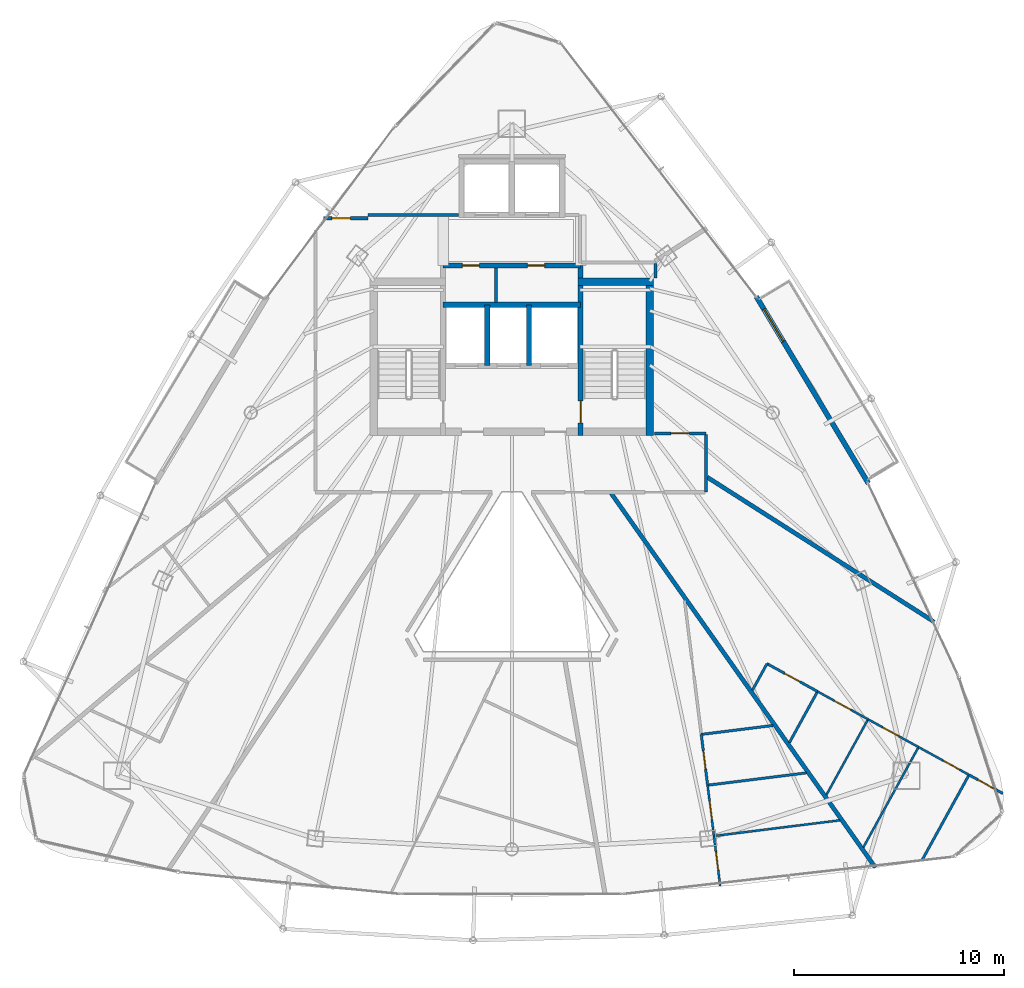
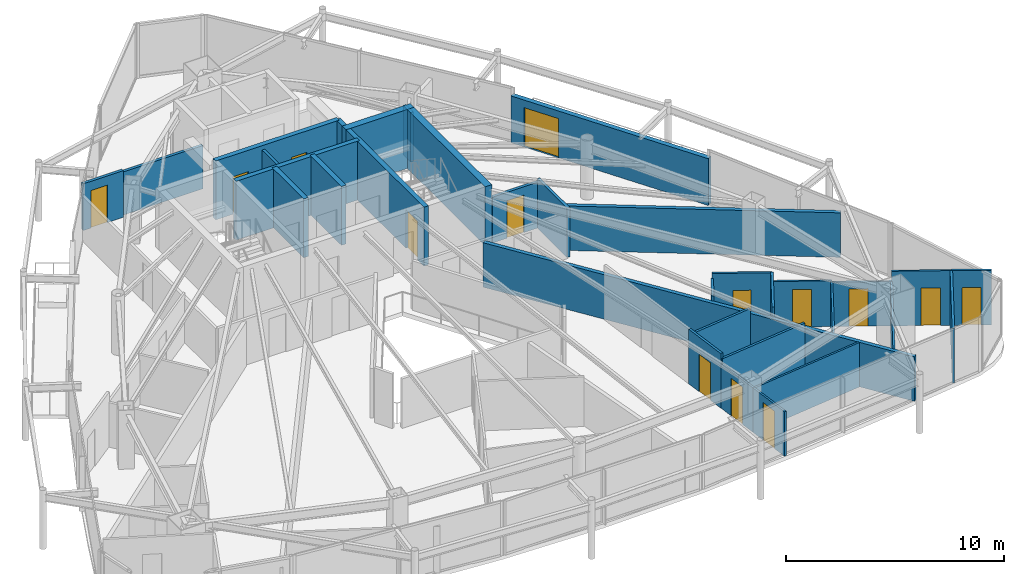
# One storey, part 29 of 33: 32 walls, 14 doors, 14 openings.
"""IFC4 building model written with IfcOpenShell, lengths in metres."""

from ifc_helpers import new_model, si_unit, direction, frame, frame_2d, origin, place, context, subcontext, project, spatial, rectangle, extrude, material, layer, layer_set, type_object, element, fill, save


model = new_model("IFC4")

# Units and contexts
model_context = context("Model", 3, precision=1e-05, world=origin(), true_north=direction((0.0, 1.0)))
body_context = subcontext(model_context, "Body", "Model", "MODEL_VIEW")
ifc_project = project(units=[si_unit("LENGTHUNIT", "METRE"), si_unit("AREAUNIT", "SQUARE_METRE"), si_unit("VOLUMEUNIT", "CUBIC_METRE"), si_unit("PLANEANGLEUNIT", "RADIAN"), si_unit("MASSUNIT", "GRAM", prefix="KILO")], contexts=[model_context])

# Site, building, storey
site_placement = place(None, origin())
site = spatial("IfcSite", under=ifc_project, at=site_placement, CompositionType="ELEMENT")
building_placement = place(site_placement, origin())
building = spatial("IfcBuilding", under=site, at=building_placement, Name="Orvanel Arch Residences", CompositionType="ELEMENT")
storey_placement = place(building_placement, frame((0.0, 0.0, 206.300048828125)))
storey = spatial("IfcBuildingStorey", under=building, at=storey_placement, Name="L58", CompositionType="ELEMENT", Elevation=206.300048828125)

# Wall, opening, door
ifc_material_1 = material(Name="Precast concrete N50 (50 MPa)", Category="concrete")
ifc_layer_1 = layer(ifc_material_1, 0.239990234375)
ifc_layer_set_1 = layer_set([ifc_layer_1], Name="Precast concrete N50 (50 MPa)")
wall_type_1 = type_object("IfcWallType", Name="EW-BAL-240", PredefinedType="SOLIDWALL", material=ifc_layer_set_1)
wall_1_placement = place(storey_placement, frame((49.98193359375, 24.27490234375, 0.0), z_axis=(0.0, 0.0, 1.0), x_axis=(-0.514391899557, 0.857555230682, 0.0)))
wall_1 = element("IfcWall", 1, at=wall_1_placement, inside=storey, type_object=wall_type_1, Name="L58 Balcony Threshold Wall Face 3", PredefinedType="SOLIDWALL", context=body_context, shape_type="SweptSolid", body=[
    extrude(rectangle(XDim=10.371337890625, YDim=0.239990234375, at=frame_2d((5.185546875, 0.0))), origin(), (0.0, 0.0, 1.0), 2.6240234375),
])
opening_1_placement = place(wall_1_placement, frame((7.8740234375, 0.0, 0.0)))
opening_1 = element("IfcOpeningElement", 2, at=opening_1_placement, cuts=wall_1, Name="Opening DB-180", PredefinedType="OPENING", context=body_context, shape_type="SweptSolid", body=[
    extrude(rectangle(XDim=1.800048828125, YDim=2.199951171875, at=frame_2d((0.89990234375, 1.10009765625))), frame((0.0, 0.1298828125, 0.0), z_axis=(0.0, -1.0, 0.0), x_axis=(1.0, 0.0, 0.0)), (0.0, 0.0, 1.0), 0.260009765625),
])
ifc_material_2 = material(Name="Bronze-anodised aluminium AA6063-T6", Category="aluminium")
door_type_1 = type_object("IfcDoorType", Name="DR-BAL-1800", OperationType="NOTDEFINED", PredefinedType="DOOR", material=ifc_material_2)
door_1_placement = place(opening_1_placement, origin())
door_1 = element("IfcDoor", 3, at=door_1_placement, inside=storey, type_object=door_type_1, Name="DR-L58-BAL-F3 L58 Planted Balcony Access Door Face 3", OperationType="SINGLE_SWING_LEFT", OverallHeight=2.199951171875, OverallWidth=1.800048828125, PredefinedType="DOOR", context=body_context, shape_type="SweptSolid", body=[
    extrude(rectangle(XDim=1.800048828125, YDim=2.199951171875, at=frame_2d((0.89990234375, 1.10009765625))), frame((0.0, 0.02490234375, 0.0), z_axis=(0.0, -1.0, 0.0), x_axis=(1.0, 0.0, 0.0)), (0.0, 0.0, 1.0), 0.050048828125),
])
fill(opening_1, door_1)

ifc_material_3 = material(Name="Concrete N50 (50 MPa)", Category="concrete")
ifc_layer_2 = layer(ifc_material_3, 0.25)
ifc_layer_set_2 = layer_set([ifc_layer_2], Name="Concrete N50 (50 MPa)")
wall_type_2 = type_object("IfcWallType", Name="SW-CORE-250", PredefinedType="SHEAR", material=ifc_layer_set_2)
wall_2_placement = place(storey_placement, frame((36.27490234375, 26.550048828125, 0.0), z_axis=(0.0, 0.0, 1.0), x_axis=(0.0, 1.0, 0.0)))
wall_2 = element("IfcWall", 4, at=wall_2_placement, inside=storey, type_object=wall_type_2, Name="L58 East Inner Core Spine Shear Wall", PredefinedType="SHEAR", context=body_context, shape_type="SweptSolid", body=[
    extrude(rectangle(XDim=8.099853515625, YDim=0.25, at=frame_2d((4.0498046875, 0.0))), origin(), (0.0, 0.0, 1.0), 3.300048828125),
])
opening_2_placement = place(wall_2_placement, frame((0.60009765625, 0.0, 0.0)))
opening_2 = element("IfcOpeningElement", 5, at=opening_2_placement, cuts=wall_2, Name="Opening DF-120", PredefinedType="OPENING", context=body_context, shape_type="SweptSolid", body=[
    extrude(rectangle(XDim=1.050048828125, YDim=2.14990234375, at=frame_2d((0.52490234375, 1.074951171875))), frame((0.0, 0.135009765625, 0.0), z_axis=(0.0, -1.0, 0.0), x_axis=(1.0, 0.0, 0.0)), (0.0, 0.0, 1.0), 0.27001953125),
])
ifc_material_4 = material(Name="Galvanised steel fire-resisting door assembly", Category="steel")
door_type_2 = type_object("IfcDoorType", Name="DR-FD120-1050", OperationType="NOTDEFINED", PredefinedType="DOOR", material=ifc_material_4)
door_2_placement = place(opening_2_placement, origin())
door_2 = element("IfcDoor", 6, at=door_2_placement, inside=storey, type_object=door_type_2, Name="DR-L58-ST2 L58 Stair 2 Fire Door", OperationType="SINGLE_SWING_RIGHT", OverallHeight=2.14990234375, OverallWidth=1.050048828125, PredefinedType="DOOR", context=body_context, shape_type="SweptSolid", body=[
    extrude(rectangle(XDim=1.050048828125, YDim=2.14990234375, at=frame_2d((0.52490234375, 1.074951171875))), frame((0.0, 0.02490234375, 0.0), z_axis=(0.0, -1.0, 0.0), x_axis=(1.0, 0.0, 0.0)), (0.0, 0.0, 1.0), 0.050048828125),
])
fill(opening_2, door_2)

# Walls
wall_3_placement = place(storey_placement, frame((29.72509765625, 32.77490234375, 0.0), z_axis=(0.0, 0.0, 1.0), x_axis=(1.0, 0.0, 0.0)))
element("IfcWall", 7, at=wall_3_placement, inside=storey, type_object=wall_type_2, Name="L58 Emergency Lift Back Core Shear Wall", PredefinedType="SHEAR", context=body_context, shape_type="SweptSolid", body=[
    extrude(rectangle(XDim=6.5498046875, YDim=0.25, at=frame_2d((3.27490234375, 0.0))), origin(), (0.0, 0.0, 1.0), 3.300048828125),
])
for number, where, z_axis, x_axis, name in (
    (8, (31.824951171875, 29.875, 0.0), (0.0, 0.0, 1.0), (0.0, 1.0, 0.0), "L58 Emergency Lift Inter-Shaft Wall F12"),
    (9, (33.824951171875, 29.875, 0.0), (0.0, 0.0, 1.0), (0.0, 1.0, 0.0), "L58 Emergency Lift Inter-Shaft Wall F2G"),
):
    element("IfcWall", number, at=place(storey_placement, frame(where, z_axis=z_axis, x_axis=x_axis)), inside=storey, type_object=wall_type_2, Name=name, PredefinedType="SHEAR", context=body_context, shape_type="SweptSolid", body=[
        extrude(rectangle(XDim=2.89990234375, YDim=0.25, at=frame_2d((1.449951171875, 0.0))), origin(), (0.0, 0.0, 1.0), 3.300048828125),
    ])

# Wall, openings, doors
wall_4_placement = place(storey_placement, frame((29.72509765625, 34.64990234375, 0.0), z_axis=(0.0, 0.0, 1.0), x_axis=(1.0, 0.0, 0.0)))
wall_4 = element("IfcWall", 10, at=wall_4_placement, inside=storey, type_object=wall_type_2, Name="L58 Core Service Band North Shear Wall", PredefinedType="SHEAR", context=body_context, shape_type="SweptSolid", body=[
    extrude(rectangle(XDim=6.5498046875, YDim=0.25, at=frame_2d((3.27490234375, 0.0))), origin(), (0.0, 0.0, 1.0), 3.300048828125),
])
opening_3_placement = place(wall_4_placement, frame((0.9150390625, 0.0, 0.0)))
opening_3 = element("IfcOpeningElement", 11, at=opening_3_placement, cuts=wall_4, Name="Opening DS-082", PredefinedType="OPENING", context=body_context, shape_type="SweptSolid", body=[
    extrude(rectangle(XDim=0.820068359375, YDim=2.10009765625, at=frame_2d((0.41015625, 1.050048828125))), frame((0.0, 0.135009765625, 0.0), z_axis=(0.0, -1.0, 0.0), x_axis=(1.0, 0.0, 0.0)), (0.0, 0.0, 1.0), 0.27001953125),
])
opening_4_placement = place(wall_4_placement, frame((4.014892578125, 0.0, 0.0)))
opening_4 = element("IfcOpeningElement", 12, at=opening_4_placement, cuts=wall_4, Name="Opening DW-082", PredefinedType="OPENING", context=body_context, shape_type="SweptSolid", body=[
    extrude(rectangle(XDim=0.820068359375, YDim=2.10009765625, at=frame_2d((0.41015625, 1.050048828125))), frame((0.0, 0.135009765625, 0.0), z_axis=(0.0, -1.0, 0.0), x_axis=(1.0, 0.0, 0.0)), (0.0, 0.0, 1.0), 0.27001953125),
])
door_type_3 = type_object("IfcDoorType", Name="DR-SVC-820", OperationType="NOTDEFINED", PredefinedType="DOOR", material=ifc_material_4)
door_3_placement = place(opening_3_placement, origin())
door_3 = element("IfcDoor", 13, at=door_3_placement, inside=storey, type_object=door_type_3, Name="DR-L58-CSVC-1 L58 Floor Cleaner's Store Door", OperationType="SINGLE_SWING_LEFT", OverallHeight=2.10009765625, OverallWidth=0.820068359375, PredefinedType="DOOR", context=body_context, shape_type="SweptSolid", body=[
    extrude(rectangle(XDim=0.820068359375, YDim=2.10009765625, at=frame_2d((0.41015625, 1.050048828125))), frame((0.0, 0.02490234375, 0.0), z_axis=(0.0, -1.0, 0.0), x_axis=(1.0, 0.0, 0.0)), (0.0, 0.0, 1.0), 0.050048828125),
])
fill(opening_3, door_3)
ifc_material_5 = material(Name="Solid-core European oak veneer fire door leaf", Category="wood")
door_type_4 = type_object("IfcDoorType", Name="DR-WET-820", OperationType="NOTDEFINED", PredefinedType="DOOR", material=ifc_material_5)
door_4_placement = place(opening_4_placement, origin())
door_4 = element("IfcDoor", 14, at=door_4_placement, inside=storey, type_object=door_type_4, Name="DR-L58-CSVC-2 L58 Core Accessible WC Door", OperationType="SINGLE_SWING_LEFT", OverallHeight=2.10009765625, OverallWidth=0.820068359375, PredefinedType="DOOR", context=body_context, shape_type="SweptSolid", body=[
    extrude(rectangle(XDim=0.820068359375, YDim=2.10009765625, at=frame_2d((0.41015625, 1.050048828125))), frame((0.0, 0.02490234375, 0.0), z_axis=(0.0, -1.0, 0.0), x_axis=(1.0, 0.0, 0.0)), (0.0, 0.0, 1.0), 0.050048828125),
])
fill(opening_4, door_4)

# Walls
ifc_layer_3 = layer(ifc_material_3, 0.35009765625)
ifc_layer_set_3 = layer_set([ifc_layer_3], Name="Concrete N50 (50 MPa)")
wall_type_3 = type_object("IfcWallType", Name="SW-CORE-350", PredefinedType="SHEAR", material=ifc_layer_set_3)
wall_5_placement = place(storey_placement, frame((39.574951171875, 26.550048828125, 0.0), z_axis=(0.0, 0.0, 1.0), x_axis=(0.0, 1.0, 0.0)))
element("IfcWall", 15, at=wall_5_placement, inside=storey, type_object=wall_type_3, Name="L58 East Stair Shear Wall", PredefinedType="SHEAR", context=body_context, shape_type="SweptSolid", body=[
    extrude(rectangle(XDim=7.5, YDim=0.35009765625, at=frame_2d((3.75, 0.0))), origin(), (0.0, 0.0, 1.0), 3.300048828125),
])
wall_6_placement = place(storey_placement, frame((36.14990234375, 33.875, 0.0), z_axis=(0.0, 0.0, 1.0), x_axis=(1.0, 0.0, 0.0)))
element("IfcWall", 16, at=wall_6_placement, inside=storey, type_object=wall_type_3, Name="L58 East Stair North Shear Wall", PredefinedType="SHEAR", context=body_context, shape_type="SweptSolid", body=[
    extrude(rectangle(XDim=3.60009765625, YDim=0.35009765625, at=frame_2d((1.800048828125, 0.0))), origin(), (0.0, 0.0, 1.0), 3.300048828125),
])

# Wall, opening, door
ifc_material_6 = material(Name="Fire-rated plasterboard lined steel stud partition", Category="steel")
ifc_layer_4 = layer(ifc_material_6, 0.14990234375)
ifc_layer_set_4 = layer_set([ifc_layer_4], Name="Fire-rated plasterboard lined steel stud partition")
wall_type_4 = type_object("IfcWallType", Name="W-COR-150", PredefinedType="PARTITIONING", material=ifc_layer_set_4)
wall_7_placement = place(storey_placement, frame((24.028076171875, 36.89990234375, 0.0), z_axis=(0.0, 0.0, 1.0), x_axis=(1.0, 0.0, 0.0)))
wall_7 = element("IfcWall", 17, at=wall_7_placement, inside=storey, type_object=wall_type_4, Name="L58 Corridor Fire-Rated Partition", PredefinedType="PARTITIONING", context=body_context, shape_type="SweptSolid", body=[
    extrude(rectangle(XDim=2.121826171875, YDim=0.14990234375, at=frame_2d((1.06103515625, 0.0))), origin(), (0.0, 0.0, 1.0), 2.618896484375),
])
opening_5_placement = place(wall_7_placement, frame((0.406005859375, 0.0, 0.0)))
opening_5 = element("IfcOpeningElement", 18, at=opening_5_placement, cuts=wall_7, Name="Opening DI-088", PredefinedType="OPENING", context=body_context, shape_type="SweptSolid", body=[
    extrude(rectangle(XDim=0.8798828125, YDim=2.10009765625, at=frame_2d((0.43994140625, 1.050048828125))), frame((0.0, 0.0849609375, 0.0), z_axis=(0.0, -1.0, 0.0), x_axis=(1.0, 0.0, 0.0)), (0.0, 0.0, 1.0), 0.169921875),
])
door_type_5 = type_object("IfcDoorType", Name="DR-INT-880", OperationType="NOTDEFINED", PredefinedType="DOOR", material=ifc_material_5)
door_5_placement = place(opening_5_placement, origin())
door_5 = element("IfcDoor", 19, at=door_5_placement, inside=storey, type_object=door_type_5, Name="DR-L58-SHRD-FB7 L58 Co-Working Study Office G Door", OperationType="SINGLE_SWING_LEFT", OverallHeight=2.10009765625, OverallWidth=0.8798828125, PredefinedType="DOOR", context=body_context, shape_type="SweptSolid", body=[
    extrude(rectangle(XDim=0.8798828125, YDim=2.10009765625, at=frame_2d((0.43994140625, 1.050048828125))), frame((0.0, 0.02490234375, 0.0), z_axis=(0.0, -1.0, 0.0), x_axis=(1.0, 0.0, 0.0)), (0.0, 0.0, 1.0), 0.050048828125),
])
fill(opening_5, door_5)

wall_8_placement = place(storey_placement, frame((39.7900390625, 26.64990234375, 0.0), z_axis=(0.0, 0.0, 1.0), x_axis=(1.0, 0.0, 0.0)))
wall_8 = element("IfcWall", 20, at=wall_8_placement, inside=storey, type_object=wall_type_4, Name="L58 Corridor Fire-Rated Partition", PredefinedType="PARTITIONING", context=body_context, shape_type="SweptSolid", body=[
    extrude(rectangle(XDim=2.4599609375, YDim=0.14990234375, at=frame_2d((1.22998046875, 0.0))), origin(), (0.0, 0.0, 1.0), 2.56494140625),
])
opening_6_placement = place(wall_8_placement, frame((0.7900390625, 0.0, 0.0)))
opening_6 = element("IfcOpeningElement", 21, at=opening_6_placement, cuts=wall_8, Name="Opening DI-088", PredefinedType="OPENING", context=body_context, shape_type="SweptSolid", body=[
    extrude(rectangle(XDim=0.8798828125, YDim=2.10009765625, at=frame_2d((0.43994140625, 1.050048828125))), frame((0.0, 0.0849609375, 0.0), z_axis=(0.0, -1.0, 0.0), x_axis=(1.0, 0.0, 0.0)), (0.0, 0.0, 1.0), 0.169921875),
])
door_6_placement = place(opening_6_placement, origin())
door_6 = element("IfcDoor", 22, at=door_6_placement, inside=storey, type_object=door_type_5, Name="DR-L58-SHRD-FB6 L58 Co-Working Study Office F Door", OperationType="SINGLE_SWING_LEFT", OverallHeight=2.10009765625, OverallWidth=0.8798828125, PredefinedType="DOOR", context=body_context, shape_type="SweptSolid", body=[
    extrude(rectangle(XDim=0.8798828125, YDim=2.10009765625, at=frame_2d((0.43994140625, 1.050048828125))), frame((0.0, 0.02490234375, 0.0), z_axis=(0.0, -1.0, 0.0), x_axis=(1.0, 0.0, 0.0)), (0.0, 0.0, 1.0), 0.050048828125),
])
fill(opening_6, door_6)

# Walls
wall_9_placement = place(storey_placement, frame((42.25, 26.590087890625, 0.0), z_axis=(0.0, 0.0, 1.0), x_axis=(0.0, -1.0, 0.0)))
element("IfcWall", 23, at=wall_9_placement, inside=storey, type_object=wall_type_4, Name="L58 Corridor Fire-Rated Partition", PredefinedType="PARTITIONING", context=body_context, shape_type="SweptSolid", body=[
    extrude(rectangle(XDim=2.739990234375, YDim=0.14990234375, at=frame_2d((1.3701171875, 0.0))), origin(), (0.0, 0.0, 1.0), 2.77294921875),
])
wall_10_placement = place(storey_placement, frame((26.14990234375, 37.050048828125, 0.0), z_axis=(0.0, 0.0, 1.0), x_axis=(1.0, 0.0, 0.0)))
element("IfcWall", 24, at=wall_10_placement, inside=storey, type_object=wall_type_4, Name="L58 Core Perimeter Partition", PredefinedType="PARTITIONING", context=body_context, shape_type="SweptSolid", body=[
    extrude(rectangle(XDim=4.300048828125, YDim=0.14990234375, at=frame_2d((2.14990234375, 0.0))), origin(), (0.0, 0.0, 1.0), 2.425048828125),
])
wall_11_placement = place(storey_placement, frame((39.85009765625, 34.739990234375, 0.0), z_axis=(0.0, 0.0, 1.0), x_axis=(0.0, -1.0, 0.0)))
element("IfcWall", 25, at=wall_11_placement, inside=storey, type_object=wall_type_4, Name="L58 Core Perimeter Partition", PredefinedType="PARTITIONING", context=body_context, shape_type="SweptSolid", body=[
    extrude(rectangle(XDim=0.68994140625, YDim=0.14990234375, at=frame_2d((0.344970703125, 0.0))), origin(), (0.0, 0.0, 1.0), 2.77294921875),
])
ifc_layer_5 = layer(ifc_material_6, 0.199951171875)
ifc_layer_set_5 = layer_set([ifc_layer_5], Name="Fire-rated plasterboard lined steel stud partition")
wall_type_5 = type_object("IfcWallType", Name="W-DEM-200", PredefinedType="PARTITIONING", material=ifc_layer_set_5)
wall_12_placement = place(storey_placement, frame((50.31591796875, 5.97607421875, 0.0), z_axis=(0.0, 0.0, 1.0), x_axis=(-0.576784728977, 0.816896184603, 0.0)))
element("IfcWall", 26, at=wall_12_placement, inside=storey, type_object=wall_type_5, Name="L58 Inter-Tenancy Acoustic Demising Wall", PredefinedType="PARTITIONING", context=body_context, shape_type="SweptSolid", body=[
    extrude(rectangle(XDim=21.806884765625, YDim=0.199951171875, at=frame_2d((10.9033203125, 0.0))), origin(), (0.0, 0.0, 1.0), 2.491943359375),
])
wall_13_placement = place(storey_placement, frame((42.31005859375, 24.56494140625, 0.0), z_axis=(0.0, 0.0, 1.0), x_axis=(0.843209388644, -0.537585274075, 0.0)))
element("IfcWall", 27, at=wall_13_placement, inside=storey, type_object=wall_type_5, Name="L58 Inter-Tenancy Acoustic Demising Wall", PredefinedType="PARTITIONING", context=body_context, shape_type="SweptSolid", body=[
    extrude(rectangle(XDim=12.81640625, YDim=0.199951171875, at=frame_2d((6.408203125, 0.0))), origin(), (0.0, 0.0, 1.0), 2.491943359375),
])

# Wall, opening, door
ifc_material_7 = material(Name="Acoustic plasterboard lined twin-stud partition", Category="gypsum")
ifc_layer_6 = layer(ifc_material_7, 0.10009765625)
ifc_layer_set_6 = layer_set([ifc_layer_6], Name="Acoustic plasterboard lined twin-stud partition")
wall_type_6 = type_object("IfcWallType", Name="W-INT-100", PredefinedType="PARTITIONING", material=ifc_layer_set_6)
wall_14_placement = place(storey_placement, frame((54.77587890625, 10.389892578125, 0.0), z_axis=(0.0, 0.0, 1.0), x_axis=(-0.876159561865, 0.48202118434, 0.0)))
wall_14 = element("IfcWall", 28, at=wall_14_placement, inside=storey, type_object=wall_type_6, Name="L58 Studio B Internal Partition", PredefinedType="PARTITIONING", context=body_context, shape_type="SweptSolid", body=[
    extrude(rectangle(XDim=2.74462890625, YDim=0.10009765625, at=frame_2d((1.372314453125, 0.0))), origin(), (0.0, 0.0, 1.0), 3.06005859375),
])
opening_7_placement = place(wall_14_placement, frame((0.508056640625, 0.0, 0.0)))
opening_7 = element("IfcOpeningElement", 29, at=opening_7_placement, cuts=wall_14, Name="Opening DI-088", PredefinedType="OPENING", context=body_context, shape_type="SweptSolid", body=[
    extrude(rectangle(XDim=0.8798828125, YDim=2.10009765625, at=frame_2d((0.43994140625, 1.050048828125))), frame((0.0, 0.06005859375, 0.0), z_axis=(0.0, -1.0, 0.0), x_axis=(1.0, 0.0, 0.0)), (0.0, 0.0, 1.0), 0.1201171875),
])
door_7_placement = place(opening_7_placement, origin())
door_7 = element("IfcDoor", 30, at=door_7_placement, inside=storey, type_object=door_type_5, Name="DR-L58-B-WRD1 L58 Studio B Walk-In Wardrobe 2 Door", OperationType="SINGLE_SWING_LEFT", OverallHeight=2.10009765625, OverallWidth=0.8798828125, PredefinedType="DOOR", context=body_context, shape_type="SweptSolid", body=[
    extrude(rectangle(XDim=0.8798828125, YDim=2.10009765625, at=frame_2d((0.43994140625, 1.050048828125))), frame((0.0, 0.02490234375, 0.0), z_axis=(0.0, -1.0, 0.0), x_axis=(1.0, 0.0, 0.0)), (0.0, 0.0, 1.0), 0.050048828125),
])
fill(opening_7, door_7)

wall_15_placement = place(storey_placement, frame((52.37109375, 11.712890625, 0.0), z_axis=(0.0, 0.0, 1.0), x_axis=(-0.87599239457, 0.482324916064, 0.0)))
wall_15 = element("IfcWall", 31, at=wall_15_placement, inside=storey, type_object=wall_type_6, Name="L58 Studio B Internal Partition", PredefinedType="PARTITIONING", context=body_context, shape_type="SweptSolid", body=[
    extrude(rectangle(XDim=2.74560546875, YDim=0.10009765625, at=frame_2d((1.372802734375, 0.0))), origin(), (0.0, 0.0, 1.0), 2.491943359375),
])
opening_8_placement = place(wall_15_placement, frame((1.073974609375, 0.0, 0.0)))
opening_8 = element("IfcOpeningElement", 32, at=opening_8_placement, cuts=wall_15, Name="Opening DI-088", PredefinedType="OPENING", context=body_context, shape_type="SweptSolid", body=[
    extrude(rectangle(XDim=0.8798828125, YDim=2.10009765625, at=frame_2d((0.43994140625, 1.050048828125))), frame((0.0, 0.06005859375, 0.0), z_axis=(0.0, -1.0, 0.0), x_axis=(1.0, 0.0, 0.0)), (0.0, 0.0, 1.0), 0.1201171875),
])
door_8_placement = place(opening_8_placement, origin())
door_8 = element("IfcDoor", 33, at=door_8_placement, inside=storey, type_object=door_type_5, Name="DR-L58-B-DIN2 L58 Studio B Dining Room 2 Door", OperationType="SINGLE_SWING_LEFT", OverallHeight=2.10009765625, OverallWidth=0.8798828125, PredefinedType="DOOR", context=body_context, shape_type="SweptSolid", body=[
    extrude(rectangle(XDim=0.8798828125, YDim=2.10009765625, at=frame_2d((0.43994140625, 1.050048828125))), frame((0.0, 0.02490234375, 0.0), z_axis=(0.0, -1.0, 0.0), x_axis=(1.0, 0.0, 0.0)), (0.0, 0.0, 1.0), 0.050048828125),
])
fill(opening_8, door_8)

wall_16_placement = place(storey_placement, frame((49.966064453125, 13.037109375, 0.0), z_axis=(0.0, 0.0, 1.0), x_axis=(-0.876029965154, 0.482256674554, 0.0)))
wall_16 = element("IfcWall", 34, at=wall_16_placement, inside=storey, type_object=wall_type_6, Name="L58 Studio B Internal Partition", PredefinedType="PARTITIONING", context=body_context, shape_type="SweptSolid", body=[
    extrude(rectangle(XDim=2.745361328125, YDim=0.10009765625, at=frame_2d((1.37255859375, 0.0))), origin(), (0.0, 0.0, 1.0), 2.56494140625),
])
opening_9_placement = place(wall_16_placement, frame((0.93310546875, 0.0, 0.0)))
opening_9 = element("IfcOpeningElement", 35, at=opening_9_placement, cuts=wall_16, Name="Opening DI-088", PredefinedType="OPENING", context=body_context, shape_type="SweptSolid", body=[
    extrude(rectangle(XDim=0.8798828125, YDim=2.10009765625, at=frame_2d((0.43994140625, 1.050048828125))), frame((0.0, 0.06005859375, 0.0), z_axis=(0.0, -1.0, 0.0), x_axis=(1.0, 0.0, 0.0)), (0.0, 0.0, 1.0), 0.1201171875),
])
door_9_placement = place(opening_9_placement, origin())
door_9 = element("IfcDoor", 36, at=door_9_placement, inside=storey, type_object=door_type_5, Name="DR-L58-B-WRD3 L58 Studio B Walk-In Wardrobe 3 Door", OperationType="SINGLE_SWING_LEFT", OverallHeight=2.10009765625, OverallWidth=0.8798828125, PredefinedType="DOOR", context=body_context, shape_type="SweptSolid", body=[
    extrude(rectangle(XDim=0.8798828125, YDim=2.10009765625, at=frame_2d((0.43994140625, 1.050048828125))), frame((0.0, 0.02490234375, 0.0), z_axis=(0.0, -1.0, 0.0), x_axis=(1.0, 0.0, 0.0)), (0.0, 0.0, 1.0), 0.050048828125),
])
fill(opening_9, door_9)

# Walls
wall_17_placement = place(storey_placement, frame((49.741943359375, 6.93701171875, 0.0), z_axis=(0.0, 0.0, 1.0), x_axis=(0.482259092216, 0.876028634221, 0.0)))
element("IfcWall", 37, at=wall_17_placement, inside=storey, type_object=wall_type_6, Name="L58 Studio B Internal Partition", PredefinedType="PARTITIONING", context=body_context, shape_type="SweptSolid", body=[
    extrude(rectangle(XDim=5.45166015625, YDim=0.10009765625, at=frame_2d((2.725830078125, 0.0))), origin(), (0.0, 0.0, 1.0), 2.491943359375),
])
wall_18_placement = place(storey_placement, frame((47.98095703125, 9.430908203125, 0.0), z_axis=(0.0, 0.0, 1.0), x_axis=(0.482235180657, 0.876041797255, 0.0)))
element("IfcWall", 38, at=wall_18_placement, inside=storey, type_object=wall_type_6, Name="L58 Studio B Internal Partition", PredefinedType="PARTITIONING", context=body_context, shape_type="SweptSolid", body=[
    extrude(rectangle(XDim=4.116455078125, YDim=0.10009765625, at=frame_2d((2.05810546875, 0.0))), origin(), (0.0, 0.0, 1.0), 2.491943359375),
])

# Wall, opening, door
wall_19_placement = place(storey_placement, frame((42.6279296875, 7.47802734375, 0.0), z_axis=(0.0, 0.0, 1.0), x_axis=(0.123572330504, -0.992335567806, 0.0)))
wall_19 = element("IfcWall", 39, at=wall_19_placement, inside=storey, type_object=wall_type_6, Name="L58 Flat C Internal Partition", PredefinedType="PARTITIONING", context=body_context, shape_type="SweptSolid", body=[
    extrude(rectangle(XDim=2.404296875, YDim=0.10009765625, at=frame_2d((1.2021484375, 0.0))), origin(), (0.0, 0.0, 1.0), 2.491943359375),
])
opening_10_placement = place(wall_19_placement, frame((0.761962890625, 0.0, 0.0)))
opening_10 = element("IfcOpeningElement", 40, at=opening_10_placement, cuts=wall_19, Name="Opening DI-088", PredefinedType="OPENING", context=body_context, shape_type="SweptSolid", body=[
    extrude(rectangle(XDim=0.8798828125, YDim=2.10009765625, at=frame_2d((0.43994140625, 1.050048828125))), frame((0.0, 0.06005859375, 0.0), z_axis=(0.0, -1.0, 0.0), x_axis=(1.0, 0.0, 0.0)), (0.0, 0.0, 1.0), 0.1201171875),
])
door_10_placement = place(opening_10_placement, origin())
door_10 = element("IfcDoor", 41, at=door_10_placement, inside=storey, type_object=door_type_5, Name="DR-L58-C-BED1 L58 Flat C Bedroom 1 Door", OperationType="SINGLE_SWING_LEFT", OverallHeight=2.10009765625, OverallWidth=0.8798828125, PredefinedType="DOOR", context=body_context, shape_type="SweptSolid", body=[
    extrude(rectangle(XDim=0.8798828125, YDim=2.10009765625, at=frame_2d((0.43994140625, 1.050048828125))), frame((0.0, 0.02490234375, 0.0), z_axis=(0.0, -1.0, 0.0), x_axis=(1.0, 0.0, 0.0)), (0.0, 0.0, 1.0), 0.050048828125),
])
fill(opening_10, door_10)

wall_20_placement = place(storey_placement, frame((42.325927734375, 9.89697265625, 0.0), z_axis=(0.0, 0.0, 1.0), x_axis=(0.123886817851, -0.992296355109, 0.0)))
wall_20 = element("IfcWall", 42, at=wall_20_placement, inside=storey, type_object=wall_type_6, Name="L58 Flat C Internal Partition", PredefinedType="PARTITIONING", context=body_context, shape_type="SweptSolid", body=[
    extrude(rectangle(XDim=2.437744140625, YDim=0.10009765625, at=frame_2d((1.21875, 0.0))), origin(), (0.0, 0.0, 1.0), 2.491943359375),
])
opening_11_placement = place(wall_20_placement, frame((0.779052734375, 0.0, 0.0)))
opening_11 = element("IfcOpeningElement", 43, at=opening_11_placement, cuts=wall_20, Name="Opening DI-088", PredefinedType="OPENING", context=body_context, shape_type="SweptSolid", body=[
    extrude(rectangle(XDim=0.8798828125, YDim=2.10009765625, at=frame_2d((0.43994140625, 1.050048828125))), frame((0.0, 0.06005859375, 0.0), z_axis=(0.0, -1.0, 0.0), x_axis=(1.0, 0.0, 0.0)), (0.0, 0.0, 1.0), 0.1201171875),
])
door_11_placement = place(opening_11_placement, origin())
door_11 = element("IfcDoor", 44, at=door_11_placement, inside=storey, type_object=door_type_5, Name="DR-L58-C-DIN2 L58 Flat C Dining Room 2 Door", OperationType="SINGLE_SWING_LEFT", OverallHeight=2.10009765625, OverallWidth=0.8798828125, PredefinedType="DOOR", context=body_context, shape_type="SweptSolid", body=[
    extrude(rectangle(XDim=0.8798828125, YDim=2.10009765625, at=frame_2d((0.43994140625, 1.050048828125))), frame((0.0, 0.02490234375, 0.0), z_axis=(0.0, -1.0, 0.0), x_axis=(1.0, 0.0, 0.0)), (0.0, 0.0, 1.0), 0.050048828125),
])
fill(opening_11, door_11)

# Walls
wall_21_placement = place(storey_placement, frame((42.6279296875, 7.47802734375, 0.0), z_axis=(0.0, 0.0, 1.0), x_axis=(0.992305206969, 0.123815896488, 0.0)))
element("IfcWall", 45, at=wall_21_placement, inside=storey, type_object=wall_type_6, Name="L58 Flat C Internal Partition", PredefinedType="PARTITIONING", context=body_context, shape_type="SweptSolid", body=[
    extrude(rectangle(XDim=6.04150390625, YDim=0.10009765625, at=frame_2d((3.020751953125, 0.0))), origin(), (0.0, 0.0, 1.0), 2.491943359375),
])
ifc_layer_7 = layer(ifc_material_6, 0.14990234375)
ifc_layer_set_7 = layer_set([ifc_layer_7], Name="Fire-rated plasterboard lined steel stud partition")
wall_type_7 = type_object("IfcWallType", Name="W-ST-150", PredefinedType="PARTITIONING", material=ifc_layer_set_7)
wall_22_placement = place(storey_placement, frame((32.25, 32.885009765625, 0.0), z_axis=(0.0, 0.0, 1.0), x_axis=(0.0, 1.0, 0.0)))
element("IfcWall", 46, at=wall_22_placement, inside=storey, type_object=wall_type_7, Name="L58 Core Service Partition 1", PredefinedType="PARTITIONING", context=body_context, shape_type="SweptSolid", body=[
    extrude(rectangle(XDim=1.655029296875, YDim=0.14990234375, at=frame_2d((0.82763671875, 0.0))), origin(), (0.0, 0.0, 1.0), 3.06005859375),
])

# Wall, opening, door
ifc_layer_8 = layer(ifc_material_7, 0.1201171875)
ifc_layer_set_8 = layer_set([ifc_layer_8], Name="Acoustic plasterboard lined twin-stud partition")
wall_type_8 = type_object("IfcWallType", Name="W-WET-120", PredefinedType="PARTITIONING", material=ifc_layer_set_8)
wall_23_placement = place(storey_placement, frame((47.56103515625, 14.361083984375, 0.0), z_axis=(0.0, 0.0, 1.0), x_axis=(-0.876029965154, 0.482256674554, 0.0)))
wall_23 = element("IfcWall", 47, at=wall_23_placement, inside=storey, type_object=wall_type_8, Name="L58 Studio B Bathroom Partition", PredefinedType="PARTITIONING", context=body_context, shape_type="SweptSolid", body=[
    extrude(rectangle(XDim=2.745361328125, YDim=0.1201171875, at=frame_2d((1.37255859375, 0.0))), origin(), (0.0, 0.0, 1.0), 3.06005859375),
])
opening_12_placement = place(wall_23_placement, frame((0.962890625, 0.0, 0.0)))
opening_12 = element("IfcOpeningElement", 48, at=opening_12_placement, cuts=wall_23, Name="Opening DW-082", PredefinedType="OPENING", context=body_context, shape_type="SweptSolid", body=[
    extrude(rectangle(XDim=0.820068359375, YDim=2.10009765625, at=frame_2d((0.41015625, 1.050048828125))), frame((0.0, 0.070068359375, 0.0), z_axis=(0.0, -1.0, 0.0), x_axis=(1.0, 0.0, 0.0)), (0.0, 0.0, 1.0), 0.14013671875),
])
door_12_placement = place(opening_12_placement, origin())
door_12 = element("IfcDoor", 49, at=door_12_placement, inside=storey, type_object=door_type_4, Name="DR-L58-B-BATH L58 Studio B Bathroom Door", OperationType="SINGLE_SWING_RIGHT", OverallHeight=2.10009765625, OverallWidth=0.820068359375, PredefinedType="DOOR", context=body_context, shape_type="SweptSolid", body=[
    extrude(rectangle(XDim=0.820068359375, YDim=2.10009765625, at=frame_2d((0.41015625, 1.050048828125))), frame((0.0, 0.02490234375, 0.0), z_axis=(0.0, -1.0, 0.0), x_axis=(1.0, 0.0, 0.0)), (0.0, 0.0, 1.0), 0.050048828125),
])
fill(opening_12, door_12)

# Wall
wall_24_placement = place(storey_placement, frame((45.156005859375, 15.68505859375, 0.0), z_axis=(0.0, 0.0, 1.0), x_axis=(-0.482268873401, -0.876023249548, 0.0)))
element("IfcWall", 50, at=wall_24_placement, inside=storey, type_object=wall_type_8, Name="L58 Studio B Bathroom Partition", PredefinedType="PARTITIONING", context=body_context, shape_type="SweptSolid", body=[
    extrude(rectangle(XDim=1.4453125, YDim=0.1201171875, at=frame_2d((0.72265625, 0.0))), origin(), (0.0, 0.0, 1.0), 2.77294921875),
])

# Wall, opening, door
wall_25_placement = place(storey_placement, frame((56.39501953125, 9.4990234375, 0.0), z_axis=(0.0, 0.0, 1.0), x_axis=(-0.876137798995, 0.482060740128, 0.0)))
wall_25 = element("IfcWall", 51, at=wall_25_placement, inside=storey, type_object=wall_type_8, Name="L58 Studio B Internal Partition", PredefinedType="PARTITIONING", context=body_context, shape_type="SweptSolid", body=[
    extrude(rectangle(XDim=1.84814453125, YDim=0.1201171875, at=frame_2d((0.924072265625, 0.0))), origin(), (0.0, 0.0, 1.0), 3.06005859375),
])
opening_13_placement = place(wall_25_placement, frame((0.48388671875, 0.0, 0.0)))
opening_13 = element("IfcOpeningElement", 52, at=opening_13_placement, cuts=wall_25, Name="Opening DI-088", PredefinedType="OPENING", context=body_context, shape_type="SweptSolid", body=[
    extrude(rectangle(XDim=0.8798828125, YDim=2.10009765625, at=frame_2d((0.43994140625, 1.050048828125))), frame((0.0, 0.070068359375, 0.0), z_axis=(0.0, -1.0, 0.0), x_axis=(1.0, 0.0, 0.0)), (0.0, 0.0, 1.0), 0.14013671875),
])
door_13_placement = place(opening_13_placement, origin())
door_13 = element("IfcDoor", 53, at=door_13_placement, inside=storey, type_object=door_type_5, Name="DR-L58-B-KIT L58 Studio B Kitchenette Door", OperationType="SINGLE_SWING_LEFT", OverallHeight=2.10009765625, OverallWidth=0.8798828125, PredefinedType="DOOR", context=body_context, shape_type="SweptSolid", body=[
    extrude(rectangle(XDim=0.8798828125, YDim=2.10009765625, at=frame_2d((0.43994140625, 1.050048828125))), frame((0.0, 0.02490234375, 0.0), z_axis=(0.0, -1.0, 0.0), x_axis=(1.0, 0.0, 0.0)), (0.0, 0.0, 1.0), 0.050048828125),
])
fill(opening_13, door_13)

# Walls
wall_26_placement = place(storey_placement, frame((47.56103515625, 14.361083984375, 0.0), z_axis=(0.0, 0.0, 1.0), x_axis=(-0.482262481374, -0.87602676846, 0.0)))
element("IfcWall", 54, at=wall_26_placement, inside=storey, type_object=wall_type_8, Name="L58 Studio B Bathroom Partition", PredefinedType="PARTITIONING", context=body_context, shape_type="SweptSolid", body=[
    extrude(rectangle(XDim=2.78076171875, YDim=0.1201171875, at=frame_2d((1.390380859375, 0.0))), origin(), (0.0, 0.0, 1.0), 3.06005859375),
])
wall_27_placement = place(storey_placement, frame((52.514892578125, 6.282958984375, 0.0), z_axis=(0.0, 0.0, 1.0), x_axis=(0.482274545088, 0.876020127143, 0.0)))
element("IfcWall", 55, at=wall_27_placement, inside=storey, type_object=wall_type_8, Name="L58 Studio B Internal Partition", PredefinedType="PARTITIONING", context=body_context, shape_type="SweptSolid", body=[
    extrude(rectangle(XDim=4.688232421875, YDim=0.1201171875, at=frame_2d((2.34423828125, 0.0))), origin(), (0.0, 0.0, 1.0), 3.06005859375),
])

# Wall, opening, door
wall_28_placement = place(storey_placement, frame((42.02392578125, 12.31689453125, 0.0), z_axis=(0.0, 0.0, 1.0), x_axis=(0.123837590029, -0.992302499894, 0.0)))
wall_28 = element("IfcWall", 56, at=wall_28_placement, inside=storey, type_object=wall_type_8, Name="L58 Flat C Internal Partition", PredefinedType="PARTITIONING", context=body_context, shape_type="SweptSolid", body=[
    extrude(rectangle(XDim=2.438720703125, YDim=0.1201171875, at=frame_2d((1.21923828125, 0.0))), origin(), (0.0, 0.0, 1.0), 3.06005859375),
])
opening_14_placement = place(wall_28_placement, frame((0.779052734375, 0.0, 0.0)))
opening_14 = element("IfcOpeningElement", 57, at=opening_14_placement, cuts=wall_28, Name="Opening DI-088", PredefinedType="OPENING", context=body_context, shape_type="SweptSolid", body=[
    extrude(rectangle(XDim=0.8798828125, YDim=2.10009765625, at=frame_2d((0.43994140625, 1.050048828125))), frame((0.0, 0.070068359375, 0.0), z_axis=(0.0, -1.0, 0.0), x_axis=(1.0, 0.0, 0.0)), (0.0, 0.0, 1.0), 0.14013671875),
])
door_14_placement = place(opening_14_placement, origin())
door_14 = element("IfcDoor", 58, at=door_14_placement, inside=storey, type_object=door_type_5, Name="DR-L58-C-KIT L58 Flat C Kitchen Door", OperationType="SINGLE_SWING_LEFT", OverallHeight=2.10009765625, OverallWidth=0.8798828125, PredefinedType="DOOR", context=body_context, shape_type="SweptSolid", body=[
    extrude(rectangle(XDim=0.8798828125, YDim=2.10009765625, at=frame_2d((0.43994140625, 1.050048828125))), frame((0.0, 0.02490234375, 0.0), z_axis=(0.0, -1.0, 0.0), x_axis=(1.0, 0.0, 0.0)), (0.0, 0.0, 1.0), 0.050048828125),
])
fill(opening_14, door_14)

# Walls
wall_29_placement = place(storey_placement, frame((45.43505859375, 12.741943359375, 0.0), z_axis=(0.0, 0.0, 1.0), x_axis=(-0.99232587892, -0.123650111308, 0.0)))
element("IfcWall", 59, at=wall_29_placement, inside=storey, type_object=wall_type_8, Name="L58 Flat C Bathroom Partition", PredefinedType="PARTITIONING", context=body_context, shape_type="SweptSolid", body=[
    extrude(rectangle(XDim=3.4375, YDim=0.1201171875, at=frame_2d((1.71875, 0.0))), origin(), (0.0, 0.0, 1.0), 2.77294921875),
])
wall_30_placement = place(storey_placement, frame((47.029052734375, 10.48388671875, 0.0), z_axis=(0.0, 0.0, 1.0), x_axis=(-0.992303215116, -0.123831858863, 0.0)))
element("IfcWall", 60, at=wall_30_placement, inside=storey, type_object=wall_type_8, Name="L58 Flat C Internal Partition", PredefinedType="PARTITIONING", context=body_context, shape_type="SweptSolid", body=[
    extrude(rectangle(XDim=4.739501953125, YDim=0.1201171875, at=frame_2d((2.36962890625, 0.0))), origin(), (0.0, 0.0, 1.0), 2.77294921875),
])

save(model, "model.ifc")
